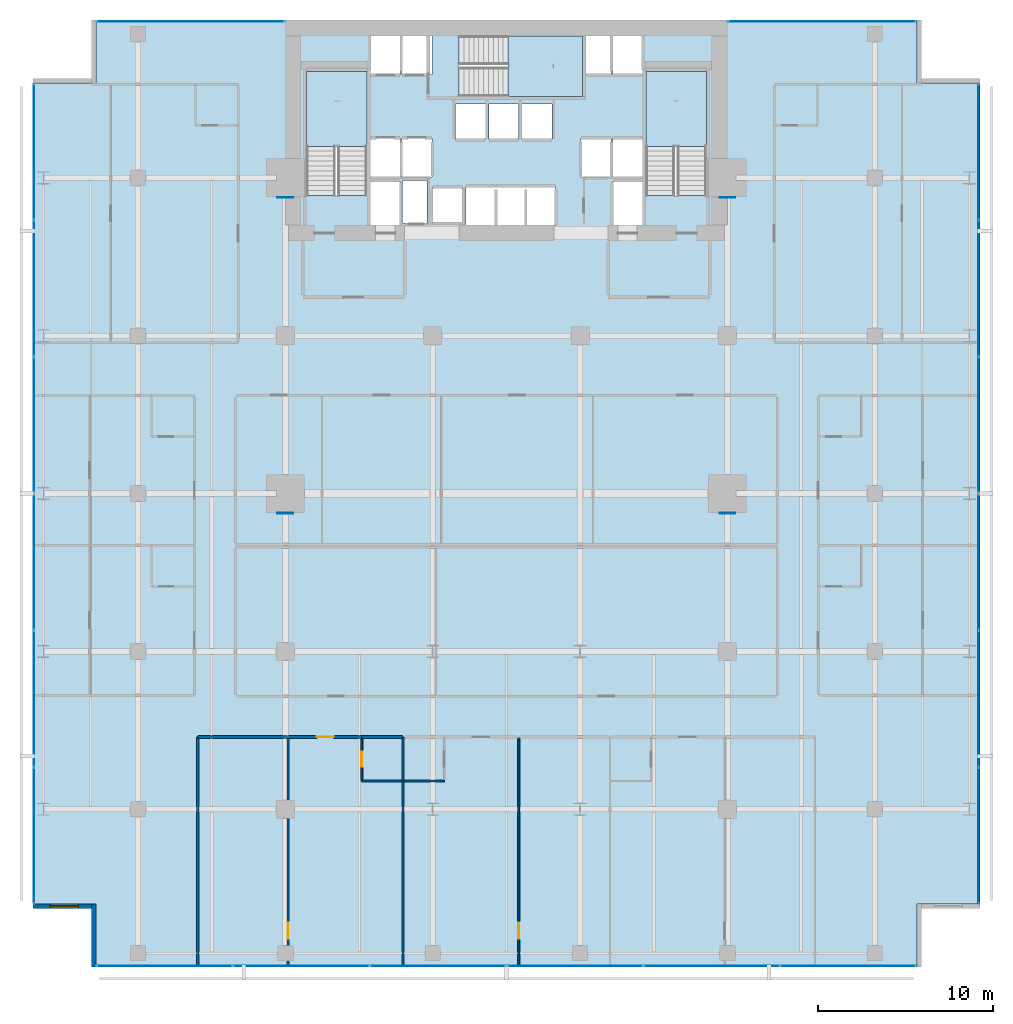
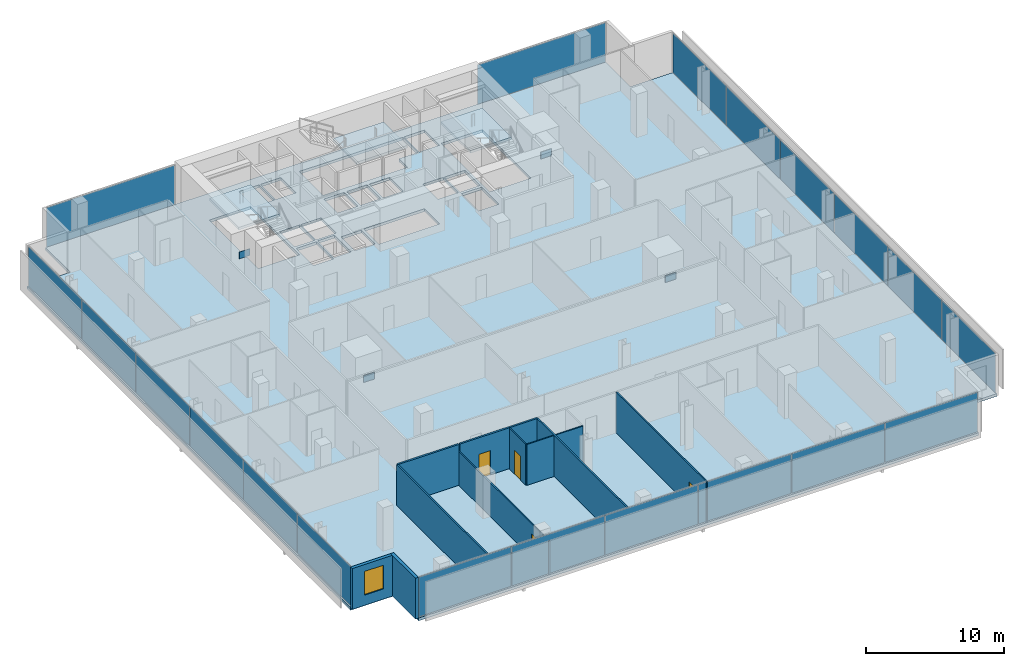
# One storey, part 32 of 39: 24 plates, 12 walls, 4 doors, 4 slabs, 1 window, 5 openings, 8 elements without a shape of their own.
"""IFC4 building model written with IfcOpenShell, lengths in metres."""

from ifc_helpers import new_model, si_unit, direction, frame, frame_2d, origin, origin_2d, place, context, subcontext, project, spatial, polyline, rectangle, outline, extrude, material, layer, layer_set, type_object, element, fill, aggregate, save


model = new_model("IFC4")

# Units and contexts
model_context = context("Model", 3, precision=1e-05, world=origin(), true_north=direction((0.0, 1.0)))
body_context = subcontext(model_context, "Body", "Model", "MODEL_VIEW")
ifc_project = project(units=[si_unit("LENGTHUNIT", "METRE"), si_unit("AREAUNIT", "SQUARE_METRE"), si_unit("VOLUMEUNIT", "CUBIC_METRE"), si_unit("PLANEANGLEUNIT", "RADIAN"), si_unit("MASSUNIT", "GRAM", prefix="KILO")], contexts=[model_context])

# Site, building, storey
site_placement = place(None, origin())
site = spatial("IfcSite", under=ifc_project, at=site_placement, CompositionType="ELEMENT")
building_placement = place(site_placement, origin())
building = spatial("IfcBuilding", under=site, at=building_placement, Name="Maruvema Waterfront Hotel and Observation Tower", CompositionType="ELEMENT")
storey_placement = place(building_placement, frame((0.0, 0.0, 69.300048828125)))
storey = spatial("IfcBuildingStorey", under=building, at=storey_placement, Name="L16", CompositionType="ELEMENT", Elevation=69.300048828125)

# Slab
ifc_material_1 = material(Name="Concrete C50/60", Category="concrete")
ifc_layer_1 = layer(ifc_material_1, 0.239990234375, Name="Reinforced Concrete Floor Slab 240 mm")
ifc_layer_set_1 = layer_set([ifc_layer_1], Name="Concrete C50/60")
slab_type_1 = type_object("IfcSlabType", Name="Reinforced Concrete Floor Slab 240 mm", PredefinedType="FLOOR", material=ifc_layer_set_1)
slab_1_placement = place(storey_placement, frame((0.0, 0.0, -0.239990234375)))
element("IfcSlab", 1, at=slab_1_placement, inside=storey, type_object=slab_type_1, Name="L16 Structural Floor Slab", PredefinedType="FLOOR", context=body_context, shape_type="SweptSolid", body=[
    extrude(outline(polyline([(14.39990234375, 0.0), (61.199951171875, 0.0), (61.199951171875, 3.60009765625), (64.800048828125, 3.60009765625), (64.800048828125, 50.39990234375), (61.199951171875, 50.39990234375), (61.199951171875, 54.0), (14.39990234375, 54.0), (14.39990234375, 50.39990234375), (10.800048828125, 50.39990234375), (10.800048828125, 3.60009765625), (14.39990234375, 3.60009765625), (14.39990234375, 0.0)]), holes=[polyline([(26.39990234375, 44.00048828125), (26.39990234375, 51.050048828125), (29.85009765625, 51.050048828125), (29.85009765625, 44.00048828125), (26.39990234375, 44.00048828125)]), polyline([(30.050048828125, 44.800048828125), (31.75, 44.800048828125), (31.75, 42.320068359375), (30.050048828125, 42.320068359375), (30.050048828125, 44.800048828125)]), polyline([(31.75, 47.25), (31.75, 45.050048828125), (30.050048828125, 45.050048828125), (30.050048828125, 47.25), (31.75, 47.25)]), polyline([(31.75, 53.10009765625), (31.75, 50.89990234375), (30.050048828125, 50.89990234375), (30.050048828125, 53.10009765625), (31.75, 53.10009765625)]), polyline([(33.280029296875, 44.860107421875), (33.280029296875, 42.43994140625), (31.8798828125, 42.43994140625), (31.8798828125, 44.860107421875), (33.280029296875, 44.860107421875)]), polyline([(31.85009765625, 47.25), (33.550048828125, 47.25), (33.550048828125, 45.050048828125), (31.85009765625, 45.050048828125), (31.85009765625, 47.25)]), polyline([(31.85009765625, 53.10009765625), (33.550048828125, 53.10009765625), (33.550048828125, 50.89990234375), (31.85009765625, 50.89990234375), (31.85009765625, 53.10009765625)]), polyline([(33.60009765625, 44.449951171875), (35.300048828125, 44.449951171875), (35.300048828125, 42.449951171875), (33.60009765625, 42.449951171875), (33.60009765625, 44.449951171875)]), polyline([(34.89990234375, 49.199951171875), (36.60009765625, 49.199951171875), (36.60009765625, 47.199951171875), (34.89990234375, 47.199951171875), (34.89990234375, 49.199951171875)]), polyline([(38.5, 49.199951171875), (38.5, 47.199951171875), (36.800048828125, 47.199951171875), (36.800048828125, 49.199951171875), (38.5, 49.199951171875)]), polyline([(35.5, 44.5), (40.60009765625, 44.5), (40.60009765625, 42.300048828125), (35.5, 42.300048828125), (35.5, 44.5)]), polyline([(43.75, 50.89990234375), (42.14990234375, 50.89990234375), (42.14990234375, 49.64990234375), (35.1005859375, 49.64990234375), (35.1005859375, 53.10009765625), (43.75, 53.10009765625), (43.75, 50.89990234375)]), polyline([(40.39990234375, 49.199951171875), (40.39990234375, 47.199951171875), (38.699951171875, 47.199951171875), (38.699951171875, 49.199951171875), (40.39990234375, 49.199951171875)]), polyline([(43.75, 47.25), (43.75, 45.050048828125), (42.050048828125, 45.050048828125), (42.050048828125, 47.25), (43.75, 47.25)]), polyline([(45.550048828125, 44.800048828125), (45.550048828125, 42.320068359375), (43.85009765625, 42.320068359375), (43.85009765625, 44.800048828125), (45.550048828125, 44.800048828125)]), polyline([(43.85009765625, 47.25), (45.550048828125, 47.25), (45.550048828125, 45.050048828125), (43.85009765625, 45.050048828125), (43.85009765625, 47.25)]), polyline([(45.550048828125, 53.10009765625), (45.550048828125, 50.89990234375), (43.85009765625, 50.89990234375), (43.85009765625, 53.10009765625), (45.550048828125, 53.10009765625)]), polyline([(45.75, 51.050048828125), (49.199951171875, 51.050048828125), (49.199951171875, 44.00048828125), (45.75, 44.00048828125), (45.75, 51.050048828125)])]), origin(), (0.0, 0.0, 1.0), 0.239990234375),
])

# Curtain wall, plates
ifc_material_2 = material(Name="Anodised bronze aluminium and solar-control low-E IGU", Category="aluminium")
ifc_layer_2 = layer(ifc_material_2, 0.159912109375, Name="Zone 1 Bronze Inner Thermal Curtain Wall System CW-02")
ifc_layer_set_2 = layer_set([ifc_layer_2], Name="Anodised bronze aluminium and solar-control low-E IGU")
curtain_wall_type = type_object("IfcCurtainWallType", Name="Zone 1 Bronze Inner Thermal Curtain Wall System CW-02", PredefinedType="USERDEFINED", material=ifc_layer_set_2)
curtain_wall_1_placement = place(storey_placement, origin())
curtain_wall_1 = element("IfcCurtainWall", 2, at=curtain_wall_1_placement, inside=storey, type_object=curtain_wall_type, Name="L16 Curtain Wall CW-L16-S", ObjectType="UNITISED CURTAIN WALL", PredefinedType="USERDEFINED")
ifc_material_3 = material(Name="Laminated low-E solar-control double glazing", Category="glass")
ifc_layer_3 = layer(ifc_material_3, 0.035888671875, Name="Solar Control Double-Glazed Curtain Panel 36 mm")
ifc_layer_set_3 = layer_set([ifc_layer_3], Name="Laminated low-E solar-control double glazing")
plate_type_1 = type_object("IfcPlateType", Name="Solar Control Double-Glazed Curtain Panel 36 mm", PredefinedType="CURTAIN_PANEL", material=ifc_layer_set_3)
plate_1_placement = place(storey_placement, frame((18.31494140625, 0.080078125, 0.06005859375), z_axis=(0.0, 0.0, 1.0), x_axis=(1.0, 0.0, 0.0)))
plate_1 = element("IfcPlate", 3, at=plate_1_placement, type_object=plate_type_1, Name="CW-02 panel 1.1", PredefinedType="CURTAIN_PANEL", context=body_context, shape_type="SweptSolid", body=[
    extrude(rectangle(XDim=7.7099609375, YDim=0.028076171875, at=origin_2d()), origin(), (0.0, 0.0, 1.0), 3.489990234375),
])
plate_2_placement = place(storey_placement, frame((26.10009765625, 0.080078125, 0.06005859375), z_axis=(0.0, 0.0, 1.0), x_axis=(1.0, 0.0, 0.0)))
plate_2 = element("IfcPlate", 4, at=plate_2_placement, type_object=plate_type_1, Name="CW-02 panel 2.1", PredefinedType="CURTAIN_PANEL", context=body_context, shape_type="SweptSolid", body=[
    extrude(rectangle(XDim=7.739990234375, YDim=0.028076171875, at=origin_2d()), origin(), (0.0, 0.0, 1.0), 3.489990234375),
])
plate_3_placement = place(storey_placement, frame((33.89990234375, 0.080078125, 0.06005859375), z_axis=(0.0, 0.0, 1.0), x_axis=(1.0, 0.0, 0.0)))
plate_3 = element("IfcPlate", 5, at=plate_3_placement, type_object=plate_type_1, Name="CW-02 panel 3.1", PredefinedType="CURTAIN_PANEL", context=body_context, shape_type="SweptSolid", body=[
    extrude(rectangle(XDim=7.739990234375, YDim=0.028076171875, at=origin_2d()), origin(), (0.0, 0.0, 1.0), 3.489990234375),
])
plate_4_placement = place(storey_placement, frame((41.699951171875, 0.080078125, 0.06005859375), z_axis=(0.0, 0.0, 1.0), x_axis=(1.0, 0.0, 0.0)))
plate_4 = element("IfcPlate", 6, at=plate_4_placement, type_object=plate_type_1, Name="CW-02 panel 4.1", PredefinedType="CURTAIN_PANEL", context=body_context, shape_type="SweptSolid", body=[
    extrude(rectangle(XDim=7.739990234375, YDim=0.028076171875, at=origin_2d()), origin(), (0.0, 0.0, 1.0), 3.489990234375),
])
plate_5_placement = place(storey_placement, frame((49.5, 0.080078125, 0.06005859375), z_axis=(0.0, 0.0, 1.0), x_axis=(1.0, 0.0, 0.0)))
plate_5 = element("IfcPlate", 7, at=plate_5_placement, type_object=plate_type_1, Name="CW-02 panel 5.1", PredefinedType="CURTAIN_PANEL", context=body_context, shape_type="SweptSolid", body=[
    extrude(rectangle(XDim=7.739990234375, YDim=0.028076171875, at=origin_2d()), origin(), (0.0, 0.0, 1.0), 3.489990234375),
])
plate_6_placement = place(storey_placement, frame((57.284912109375, 0.080078125, 0.06005859375), z_axis=(0.0, 0.0, 1.0), x_axis=(1.0, 0.0, 0.0)))
plate_6 = element("IfcPlate", 8, at=plate_6_placement, type_object=plate_type_1, Name="CW-02 panel 6.1", PredefinedType="CURTAIN_PANEL", context=body_context, shape_type="SweptSolid", body=[
    extrude(rectangle(XDim=7.7099609375, YDim=0.028076171875, at=origin_2d()), origin(), (0.0, 0.0, 1.0), 3.489990234375),
])
aggregate(curtain_wall_1, [plate_1, plate_2, plate_3, plate_4, plate_5, plate_6])

curtain_wall_2_placement = place(storey_placement, origin())
curtain_wall_2 = element("IfcCurtainWall", 9, at=curtain_wall_2_placement, inside=storey, type_object=curtain_wall_type, Name="L16 Curtain Wall CW-L16-E", ObjectType="UNITISED CURTAIN WALL", PredefinedType="USERDEFINED")
plate_7_placement = place(storey_placement, frame((64.719970703125, 7.514892578125, 0.06005859375), z_axis=(0.0, 0.0, 1.0), x_axis=(0.0, 1.0, 0.0)))
plate_7 = element("IfcPlate", 10, at=plate_7_placement, type_object=plate_type_1, Name="CW-02 panel 1.1", PredefinedType="CURTAIN_PANEL", context=body_context, shape_type="SweptSolid", body=[
    extrude(rectangle(XDim=7.7099609375, YDim=0.028076171875, at=origin_2d()), origin(), (0.0, 0.0, 1.0), 3.489990234375),
])
plate_8_placement = place(storey_placement, frame((64.719970703125, 15.300048828125, 0.06005859375), z_axis=(0.0, 0.0, 1.0), x_axis=(0.0, 1.0, 0.0)))
plate_8 = element("IfcPlate", 11, at=plate_8_placement, type_object=plate_type_1, Name="CW-02 panel 2.1", PredefinedType="CURTAIN_PANEL", context=body_context, shape_type="SweptSolid", body=[
    extrude(rectangle(XDim=7.739990234375, YDim=0.028076171875, at=origin_2d()), origin(), (0.0, 0.0, 1.0), 3.489990234375),
])
plate_9_placement = place(storey_placement, frame((64.719970703125, 23.10009765625, 0.06005859375), z_axis=(0.0, 0.0, 1.0), x_axis=(0.0, 1.0, 0.0)))
plate_9 = element("IfcPlate", 12, at=plate_9_placement, type_object=plate_type_1, Name="CW-02 panel 3.1", PredefinedType="CURTAIN_PANEL", context=body_context, shape_type="SweptSolid", body=[
    extrude(rectangle(XDim=7.739990234375, YDim=0.028076171875, at=origin_2d()), origin(), (0.0, 0.0, 1.0), 3.489990234375),
])
plate_10_placement = place(storey_placement, frame((64.719970703125, 30.89990234375, 0.06005859375), z_axis=(0.0, 0.0, 1.0), x_axis=(0.0, 1.0, 0.0)))
plate_10 = element("IfcPlate", 13, at=plate_10_placement, type_object=plate_type_1, Name="CW-02 panel 4.1", PredefinedType="CURTAIN_PANEL", context=body_context, shape_type="SweptSolid", body=[
    extrude(rectangle(XDim=7.739990234375, YDim=0.028076171875, at=origin_2d()), origin(), (0.0, 0.0, 1.0), 3.489990234375),
])
plate_11_placement = place(storey_placement, frame((64.719970703125, 38.699951171875, 0.06005859375), z_axis=(0.0, 0.0, 1.0), x_axis=(0.0, 1.0, 0.0)))
plate_11 = element("IfcPlate", 14, at=plate_11_placement, type_object=plate_type_1, Name="CW-02 panel 5.1", PredefinedType="CURTAIN_PANEL", context=body_context, shape_type="SweptSolid", body=[
    extrude(rectangle(XDim=7.739990234375, YDim=0.028076171875, at=origin_2d()), origin(), (0.0, 0.0, 1.0), 3.489990234375),
])
plate_12_placement = place(storey_placement, frame((64.719970703125, 46.485107421875, 0.06005859375), z_axis=(0.0, 0.0, 1.0), x_axis=(0.0, 1.0, 0.0)))
plate_12 = element("IfcPlate", 15, at=plate_12_placement, type_object=plate_type_1, Name="CW-02 panel 6.1", PredefinedType="CURTAIN_PANEL", context=body_context, shape_type="SweptSolid", body=[
    extrude(rectangle(XDim=7.7099609375, YDim=0.028076171875, at=origin_2d()), origin(), (0.0, 0.0, 1.0), 3.489990234375),
])
aggregate(curtain_wall_2, [plate_7, plate_8, plate_9, plate_10, plate_11, plate_12])

curtain_wall_3_placement = place(storey_placement, origin())
curtain_wall_3 = element("IfcCurtainWall", 16, at=curtain_wall_3_placement, inside=storey, type_object=curtain_wall_type, Name="L16 Curtain Wall CW-L16-W", ObjectType="UNITISED CURTAIN WALL", PredefinedType="USERDEFINED")
plate_13_placement = place(storey_placement, frame((10.8798828125, 46.485107421875, 0.06005859375), z_axis=(0.0, 0.0, 1.0), x_axis=(0.0, -1.0, 0.0)))
plate_13 = element("IfcPlate", 17, at=plate_13_placement, type_object=plate_type_1, Name="CW-02 panel 1.1", PredefinedType="CURTAIN_PANEL", context=body_context, shape_type="SweptSolid", body=[
    extrude(rectangle(XDim=7.7099609375, YDim=0.028076171875, at=origin_2d()), origin(), (0.0, 0.0, 1.0), 3.489990234375),
])
plate_14_placement = place(storey_placement, frame((10.8798828125, 38.699951171875, 0.06005859375), z_axis=(0.0, 0.0, 1.0), x_axis=(0.0, -1.0, 0.0)))
plate_14 = element("IfcPlate", 18, at=plate_14_placement, type_object=plate_type_1, Name="CW-02 panel 2.1", PredefinedType="CURTAIN_PANEL", context=body_context, shape_type="SweptSolid", body=[
    extrude(rectangle(XDim=7.739990234375, YDim=0.028076171875, at=origin_2d()), origin(), (0.0, 0.0, 1.0), 3.489990234375),
])
plate_15_placement = place(storey_placement, frame((10.8798828125, 30.89990234375, 0.06005859375), z_axis=(0.0, 0.0, 1.0), x_axis=(0.0, -1.0, 0.0)))
plate_15 = element("IfcPlate", 19, at=plate_15_placement, type_object=plate_type_1, Name="CW-02 panel 3.1", PredefinedType="CURTAIN_PANEL", context=body_context, shape_type="SweptSolid", body=[
    extrude(rectangle(XDim=7.739990234375, YDim=0.028076171875, at=origin_2d()), origin(), (0.0, 0.0, 1.0), 3.489990234375),
])
plate_16_placement = place(storey_placement, frame((10.8798828125, 23.10009765625, 0.06005859375), z_axis=(0.0, 0.0, 1.0), x_axis=(0.0, -1.0, 0.0)))
plate_16 = element("IfcPlate", 20, at=plate_16_placement, type_object=plate_type_1, Name="CW-02 panel 4.1", PredefinedType="CURTAIN_PANEL", context=body_context, shape_type="SweptSolid", body=[
    extrude(rectangle(XDim=7.739990234375, YDim=0.028076171875, at=origin_2d()), origin(), (0.0, 0.0, 1.0), 3.489990234375),
])
plate_17_placement = place(storey_placement, frame((10.8798828125, 15.300048828125, 0.06005859375), z_axis=(0.0, 0.0, 1.0), x_axis=(0.0, -1.0, 0.0)))
plate_17 = element("IfcPlate", 21, at=plate_17_placement, type_object=plate_type_1, Name="CW-02 panel 5.1", PredefinedType="CURTAIN_PANEL", context=body_context, shape_type="SweptSolid", body=[
    extrude(rectangle(XDim=7.739990234375, YDim=0.028076171875, at=origin_2d()), origin(), (0.0, 0.0, 1.0), 3.489990234375),
])
plate_18_placement = place(storey_placement, frame((10.8798828125, 7.514892578125, 0.06005859375), z_axis=(0.0, 0.0, 1.0), x_axis=(0.0, -1.0, 0.0)))
plate_18 = element("IfcPlate", 22, at=plate_18_placement, type_object=plate_type_1, Name="CW-02 panel 6.1", PredefinedType="CURTAIN_PANEL", context=body_context, shape_type="SweptSolid", body=[
    extrude(rectangle(XDim=7.7099609375, YDim=0.028076171875, at=origin_2d()), origin(), (0.0, 0.0, 1.0), 3.489990234375),
])
aggregate(curtain_wall_3, [plate_13, plate_14, plate_15, plate_16, plate_17, plate_18])

# Curtain wall, plate
curtain_wall_4_placement = place(storey_placement, origin())
curtain_wall_4 = element("IfcCurtainWall", 23, at=curtain_wall_4_placement, inside=storey, type_object=curtain_wall_type, Name="L16 Curtain Wall CW-L16-NW", ObjectType="UNITISED CURTAIN WALL", PredefinedType="USERDEFINED")
plate_19_placement = place(storey_placement, frame((19.800048828125, 53.919921875, 0.06005859375), z_axis=(0.0, 0.0, 1.0), x_axis=(-1.0, 0.0, 0.0)))
plate_19 = element("IfcPlate", 24, at=plate_19_placement, type_object=plate_type_1, Name="CW-02 panel 1.1", PredefinedType="CURTAIN_PANEL", context=body_context, shape_type="SweptSolid", body=[
    extrude(rectangle(XDim=10.679931640625, YDim=0.028076171875, at=origin_2d()), origin(), (0.0, 0.0, 1.0), 3.489990234375),
])
aggregate(curtain_wall_4, [plate_19])

curtain_wall_5_placement = place(storey_placement, origin())
curtain_wall_5 = element("IfcCurtainWall", 25, at=curtain_wall_5_placement, inside=storey, type_object=curtain_wall_type, Name="L16 Curtain Wall CW-L16-NE", ObjectType="UNITISED CURTAIN WALL", PredefinedType="USERDEFINED")
plate_20_placement = place(storey_placement, frame((55.800048828125, 53.919921875, 0.06005859375), z_axis=(0.0, 0.0, 1.0), x_axis=(-1.0, 0.0, 0.0)))
plate_20 = element("IfcPlate", 26, at=plate_20_placement, type_object=plate_type_1, Name="CW-02 panel 1.1", PredefinedType="CURTAIN_PANEL", context=body_context, shape_type="SweptSolid", body=[
    extrude(rectangle(XDim=10.679931640625, YDim=0.028076171875, at=origin_2d()), origin(), (0.0, 0.0, 1.0), 3.489990234375),
])
aggregate(curtain_wall_5, [plate_20])

# Stair, slab
ifc_material_4 = material(Name="Concrete C50/60", Category="concrete")
stair_type = type_object("IfcStairType", Name="Dogleg Exit Stair 1650 mm (22R x 175.0 mm)", PredefinedType="HALF_TURN_STAIR", material=ifc_material_4)
stair_1_placement = place(storey_placement, origin())
stair_1 = element("IfcStair", 27, at=stair_1_placement, inside=storey, type_object=stair_type, Name="L16 ST-01", PredefinedType="HALF_TURN_STAIR")
ifc_material_5 = material(Name="Concrete C50/60", Category="concrete")
ifc_layer_4 = layer(ifc_material_5, 0.219970703125, Name="Stair Concrete Landing Slab 220 mm")
ifc_layer_set_4 = layer_set([ifc_layer_4], Name="Concrete C50/60")
slab_type_2 = type_object("IfcSlabType", Name="Stair Concrete Landing Slab 220 mm", PredefinedType="LANDING", material=ifc_layer_set_4)
slab_2_placement = place(storey_placement, frame((0.0, 0.0, 1.704833984375)))
slab_2 = element("IfcSlab", 28, at=slab_2_placement, type_object=slab_type_2, Name="ST-01 landing 1", PredefinedType="LANDING", context=body_context, shape_type="SweptSolid", body=[
    extrude(outline(polyline([(29.85009765625, 46.800048828125), (29.85009765625, 51.050048828125), (26.39990234375, 51.050048828125), (26.39990234375, 46.800048828125), (29.85009765625, 46.800048828125)])), origin(), (0.0, 0.0, 1.0), 0.22021484375),
])
aggregate(stair_1, [slab_2])

stair_2_placement = place(storey_placement, origin())
stair_2 = element("IfcStair", 29, at=stair_2_placement, inside=storey, type_object=stair_type, Name="L16 ST-02", PredefinedType="HALF_TURN_STAIR")
slab_3_placement = place(storey_placement, frame((0.0, 0.0, 1.704833984375)))
slab_3 = element("IfcSlab", 30, at=slab_3_placement, type_object=slab_type_2, Name="ST-02 landing 1", PredefinedType="LANDING", context=body_context, shape_type="SweptSolid", body=[
    extrude(outline(polyline([(37.89990234375, 49.64990234375), (42.14990234375, 49.64990234375), (42.14990234375, 53.10009765625), (37.89990234375, 53.10009765625), (37.89990234375, 49.64990234375)])), origin(), (0.0, 0.0, 1.0), 0.22021484375),
])
aggregate(stair_2, [slab_3])

stair_3_placement = place(storey_placement, origin())
stair_3 = element("IfcStair", 31, at=stair_3_placement, inside=storey, type_object=stair_type, Name="L16 ST-03", PredefinedType="HALF_TURN_STAIR")
slab_4_placement = place(storey_placement, frame((0.0, 0.0, 1.704833984375)))
slab_4 = element("IfcSlab", 32, at=slab_4_placement, type_object=slab_type_2, Name="ST-03 landing 1", PredefinedType="LANDING", context=body_context, shape_type="SweptSolid", body=[
    extrude(outline(polyline([(49.199951171875, 46.800048828125), (49.199951171875, 51.050048828125), (45.75, 51.050048828125), (45.75, 46.800048828125), (49.199951171875, 46.800048828125)])), origin(), (0.0, 0.0, 1.0), 0.22021484375),
])
aggregate(stair_3, [slab_4])

# Plates
ifc_material_6 = material(Name="Steel ABNT NBR 7007 AR 415 (ASTM A572 Grade 50)", Category="steel")
ifc_layer_5 = layer(ifc_material_6, 0.0400390625, Name="Structural Truss Node Gusset Plate 40 mm")
ifc_layer_set_5 = layer_set([ifc_layer_5], Name="Steel ABNT NBR 7007 AR 415 (ASTM A572 Grade 50)")
plate_type_2 = type_object("IfcPlateType", Name="Structural Truss Node Gusset Plate 40 mm", PredefinedType="USERDEFINED", material=ifc_layer_set_5)
for number, where, z_axis, x_axis, name in (
    (33, (25.199951171875, 25.8798828125, 1.5), (0.0, 0.0, 1.0), (1.0, 0.0, 0.0), "L16 MC-01 Moment Frame Continuity Gusset Plate"),
    (34, (50.39990234375, 25.8798828125, 1.5), (0.0, 0.0, 1.0), (1.0, 0.0, 0.0), "L16 MC-02 Moment Frame Continuity Gusset Plate"),
    (35, (25.199951171875, 43.8798828125, 1.5), (0.0, 0.0, 1.0), (1.0, 0.0, 0.0), "L16 MC-03 Moment Frame Continuity Gusset Plate"),
    (36, (50.39990234375, 43.8798828125, 1.5), (0.0, 0.0, 1.0), (1.0, 0.0, 0.0), "L16 MC-04 Moment Frame Continuity Gusset Plate"),
):
    element("IfcPlate", number, at=place(storey_placement, frame(where, z_axis=z_axis, x_axis=x_axis)), inside=storey, type_object=plate_type_2, Name=name, ObjectType="GUSSET_PLATE", PredefinedType="USERDEFINED", context=body_context, shape_type="SweptSolid", body=[
        extrude(rectangle(XDim=0.89990234375, YDim=0.0400390625, at=origin_2d()), origin(), (0.0, 0.0, 1.0), 0.60009765625),
    ])

# Walls
ifc_material_7 = material(Name="Twin-stud acoustic gypsum drywall", Category="gypsum")
ifc_layer_6 = layer(ifc_material_7, 0.14990234375, Name="Acoustic Corridor and Suite Demising Wall 150 mm")
ifc_layer_set_6 = layer_set([ifc_layer_6], Name="Twin-stud acoustic gypsum drywall")
wall_type_1 = type_object("IfcWallType", Name="Acoustic Corridor and Suite Demising Wall 150 mm", PredefinedType="PARTITIONING", material=ifc_layer_set_6)
wall_1_placement = place(storey_placement, frame((29.550048828125, 13.1201171875, 0.0), z_axis=(0.0, 0.0, 1.0), x_axis=(1.0, 0.0, 0.0)))
element("IfcWall", 37, at=wall_1_placement, inside=storey, type_object=wall_type_1, Name="L16 Bath L16-S1 Back Wall 030", PredefinedType="PARTITIONING", context=body_context, shape_type="SweptSolid", body=[
    extrude(rectangle(XDim=2.329833984375, YDim=0.14990234375, at=frame_2d((1.1650390625, 0.0))), origin(), (0.0, 0.0, 1.0), 3.60986328125),
])
wall_2_placement = place(storey_placement, frame((20.219970703125, 13.1201171875, 0.0), z_axis=(0.0, 0.0, 1.0), x_axis=(1.0, 0.0, 0.0)))
element("IfcWall", 38, at=wall_2_placement, inside=storey, type_object=wall_type_1, Name="L16 Bedroom L16-S1 Back Wall 033", PredefinedType="PARTITIONING", context=body_context, shape_type="SweptSolid", body=[
    extrude(rectangle(XDim=5.088134765625, YDim=0.14990234375, at=frame_2d((2.5439453125, 0.0))), origin(), (0.0, 0.0, 1.0), 3.60986328125),
])

# Wall, opening, door
wall_3_placement = place(storey_placement, frame((25.387939453125, 13.1201171875, 0.0), z_axis=(0.0, 0.0, 1.0), x_axis=(1.0, 0.0, 0.0)))
wall_3 = element("IfcWall", 39, at=wall_3_placement, inside=storey, type_object=wall_type_1, Name="L16 Unit L16-S1 Corridor Wall 034", PredefinedType="PARTITIONING", context=body_context, shape_type="SweptSolid", body=[
    extrude(rectangle(XDim=4.162109375, YDim=0.14990234375, at=frame_2d((2.0810546875, 0.0))), origin(), (0.0, 0.0, 1.0), 3.60986328125),
])
opening_1_placement = place(wall_3_placement, frame((1.60595703125, 0.0, 0.0)))
opening_1 = element("IfcOpeningElement", 40, at=opening_1_placement, cuts=wall_3, Name="Opening DR-095", PredefinedType="OPENING", context=body_context, shape_type="SweptSolid", body=[
    extrude(rectangle(XDim=0.949951171875, YDim=2.14990234375, at=frame_2d((0.47509765625, 1.074951171875))), frame((0.0, 0.0849609375, 0.0), z_axis=(0.0, -1.0, 0.0), x_axis=(1.0, 0.0, 0.0)), (0.0, 0.0, 1.0), 0.169921875),
])
ifc_material_8 = material(Name="Acoustic solid-core hardwood timber leaf", Category="wood")
door_type_1 = type_object("IfcDoorType", Name="Guestroom Entrance Fire Door 950x2150 mm", OperationType="NOTDEFINED", PredefinedType="DOOR", material=ifc_material_8)
door_1_placement = place(opening_1_placement, frame((0.949951171875, 0.0, 0.0), z_axis=(0.0, 0.0, 1.0), x_axis=(-1.0, 0.0, 0.0)))
door_1 = element("IfcDoor", 41, at=door_1_placement, inside=storey, type_object=door_type_1, Name="L16 Unit L16-S1 Entrance Door", OperationType="SINGLE_SWING_RIGHT", OverallHeight=2.14990234375, OverallWidth=0.949951171875, PredefinedType="DOOR", context=body_context, shape_type="SweptSolid", body=[
    extrude(rectangle(XDim=0.949951171875, YDim=2.14990234375, at=frame_2d((0.47509765625, 1.074951171875))), frame((0.0, 0.02490234375, 0.0), z_axis=(0.0, -1.0, 0.0), x_axis=(1.0, 0.0, 0.0)), (0.0, 0.0, 1.0), 0.050048828125),
])
fill(opening_1, door_1)

# Wall
ifc_material_9 = material(Name="Moisture-resistant cement-board drywall", Category="gypsum")
ifc_layer_7 = layer(ifc_material_9, 0.10009765625, Name="En-Suite Moisture-Resistant Partition 100 mm")
ifc_layer_set_7 = layer_set([ifc_layer_7], Name="Moisture-resistant cement-board drywall")
wall_type_2 = type_object("IfcWallType", Name="En-Suite Moisture-Resistant Partition 100 mm", PredefinedType="PARTITIONING", material=ifc_layer_set_7)
wall_4_placement = place(storey_placement, frame((29.550048828125, 10.6201171875, 0.0), z_axis=(0.0, 0.0, 1.0), x_axis=(1.0, 0.0, 0.0)))
element("IfcWall", 42, at=wall_4_placement, inside=storey, type_object=wall_type_2, Name="L16 En-Suite L16-S1 South 031", PredefinedType="PARTITIONING", context=body_context, shape_type="SweptSolid", body=[
    extrude(rectangle(XDim=2.31005859375, YDim=0.10009765625, at=frame_2d((1.155029296875, 0.0))), origin(), (0.0, 0.0, 1.0), 3.60986328125),
])

# Wall, opening, door
wall_5_placement = place(storey_placement, frame((29.550048828125, 10.679931640625, 0.0), z_axis=(0.0, 0.0, 1.0), x_axis=(0.0, 1.0, 0.0)))
wall_5 = element("IfcWall", 43, at=wall_5_placement, inside=storey, type_object=wall_type_2, Name="L16 En-Suite L16-S1 West 032", PredefinedType="PARTITIONING", context=body_context, shape_type="SweptSolid", body=[
    extrude(rectangle(XDim=2.340087890625, YDim=0.10009765625, at=frame_2d((1.169921875, 0.0))), origin(), (0.0, 0.0, 1.0), 3.60986328125),
])
opening_2_placement = place(wall_5_placement, frame((0.7451171875, 0.0, 0.0)))
opening_2 = element("IfcOpeningElement", 44, at=opening_2_placement, cuts=wall_5, Name="Opening DR-085", PredefinedType="OPENING", context=body_context, shape_type="SweptSolid", body=[
    extrude(rectangle(XDim=0.85009765625, YDim=2.10009765625, at=frame_2d((0.425048828125, 1.050048828125))), frame((0.0, 0.06005859375, 0.0), z_axis=(0.0, -1.0, 0.0), x_axis=(1.0, 0.0, 0.0)), (0.0, 0.0, 1.0), 0.1201171875),
])
ifc_material_10 = material(Name="Moisture-resistant solid timber leaf", Category="wood")
door_type_2 = type_object("IfcDoorType", Name="En-Suite Bathroom Door 850x2100 mm", OperationType="NOTDEFINED", PredefinedType="DOOR", material=ifc_material_10)
door_2_placement = place(opening_2_placement, origin())
door_2 = element("IfcDoor", 45, at=door_2_placement, inside=storey, type_object=door_type_2, Name="L16 En-Suite L16-S1 Door", OperationType="SINGLE_SWING_LEFT", OverallHeight=2.10009765625, OverallWidth=0.85009765625, PredefinedType="DOOR", context=body_context, shape_type="SweptSolid", body=[
    extrude(rectangle(XDim=0.85009765625, YDim=2.10009765625, at=frame_2d((0.425048828125, 1.050048828125))), frame((0.0, 0.02490234375, 0.0), z_axis=(0.0, -1.0, 0.0), x_axis=(1.0, 0.0, 0.0)), (0.0, 0.0, 1.0), 0.050048828125),
])
fill(opening_2, door_2)

wall_6_placement = place(storey_placement, frame((25.347900390625, 0.030029296875, 0.0), z_axis=(0.0, 0.0, 1.0), x_axis=(0.0, 1.0, 0.0)))
wall_6 = element("IfcWall", 46, at=wall_6_placement, inside=storey, type_object=wall_type_2, Name="L16 Suite L16-S1 Split 035", PredefinedType="PARTITIONING", context=body_context, shape_type="SweptSolid", body=[
    extrude(rectangle(XDim=13.030029296875, YDim=0.10009765625, at=frame_2d((6.51513671875, 0.0))), origin(), (0.0, 0.0, 1.0), 2.988037109375),
])
opening_3_placement = place(wall_6_placement, frame((1.60009765625, 0.0, 0.0)))
opening_3 = element("IfcOpeningElement", 47, at=opening_3_placement, cuts=wall_6, Name="Opening DR-090", PredefinedType="OPENING", context=body_context, shape_type="SweptSolid", body=[
    extrude(rectangle(XDim=0.89990234375, YDim=2.10009765625, at=frame_2d((0.449951171875, 1.050048828125))), frame((0.0, 0.06005859375, 0.0), z_axis=(0.0, -1.0, 0.0), x_axis=(1.0, 0.0, 0.0)), (0.0, 0.0, 1.0), 0.1201171875),
])
ifc_material_11 = material(Name="Solid-core lacquered timber leaf", Category="wood")
door_type_3 = type_object("IfcDoorType", Name="Accessible Toilet and Room Door 900x2100 mm", OperationType="NOTDEFINED", PredefinedType="DOOR", material=ifc_material_11)
door_3_placement = place(opening_3_placement, frame((0.89990234375, 0.0, 0.0), z_axis=(0.0, 0.0, 1.0), x_axis=(-1.0, 0.0, 0.0)))
door_3 = element("IfcDoor", 48, at=door_3_placement, inside=storey, type_object=door_type_3, Name="L16 Suite L16-S1 Bedroom Door", OperationType="SINGLE_SWING_LEFT", OverallHeight=2.10009765625, OverallWidth=0.89990234375, PredefinedType="DOOR", context=body_context, shape_type="SweptSolid", body=[
    extrude(rectangle(XDim=0.89990234375, YDim=2.10009765625, at=frame_2d((0.449951171875, 1.050048828125))), frame((0.0, 0.02490234375, 0.0), z_axis=(0.0, -1.0, 0.0), x_axis=(1.0, 0.0, 0.0)), (0.0, 0.0, 1.0), 0.050048828125),
])
fill(opening_3, door_3)

# Wall
wall_7_placement = place(storey_placement, frame((31.97998046875, 10.6201171875, 0.0), z_axis=(0.0, 0.0, 1.0), x_axis=(1.0, 0.0, 0.0)))
element("IfcWall", 49, at=wall_7_placement, inside=storey, type_object=wall_type_2, Name="L16 En-Suite L16-S2 South 038", PredefinedType="PARTITIONING", context=body_context, shape_type="SweptSolid", body=[
    extrude(rectangle(XDim=2.27001953125, YDim=0.10009765625, at=frame_2d((1.135009765625, 0.0))), origin(), (0.0, 0.0, 1.0), 3.60986328125),
])

# Wall, opening, door
wall_8_placement = place(storey_placement, frame((38.508056640625, 0.030029296875, 0.0), z_axis=(0.0, 0.0, 1.0), x_axis=(0.0, 1.0, 0.0)))
wall_8 = element("IfcWall", 50, at=wall_8_placement, inside=storey, type_object=wall_type_2, Name="L16 Suite L16-S2 Split 042", PredefinedType="PARTITIONING", context=body_context, shape_type="SweptSolid", body=[
    extrude(rectangle(XDim=13.030029296875, YDim=0.10009765625, at=frame_2d((6.51513671875, 0.0))), origin(), (0.0, 0.0, 1.0), 3.60986328125),
])
opening_4_placement = place(wall_8_placement, frame((1.60009765625, 0.0, 0.0)))
opening_4 = element("IfcOpeningElement", 51, at=opening_4_placement, cuts=wall_8, Name="Opening DR-090", PredefinedType="OPENING", context=body_context, shape_type="SweptSolid", body=[
    extrude(rectangle(XDim=0.89990234375, YDim=2.10009765625, at=frame_2d((0.449951171875, 1.050048828125))), frame((0.0, 0.06005859375, 0.0), z_axis=(0.0, -1.0, 0.0), x_axis=(1.0, 0.0, 0.0)), (0.0, 0.0, 1.0), 0.1201171875),
])
door_4_placement = place(opening_4_placement, origin())
door_4 = element("IfcDoor", 52, at=door_4_placement, inside=storey, type_object=door_type_3, Name="L16 Suite L16-S2 Bedroom Door", OperationType="SINGLE_SWING_RIGHT", OverallHeight=2.10009765625, OverallWidth=0.89990234375, PredefinedType="DOOR", context=body_context, shape_type="SweptSolid", body=[
    extrude(rectangle(XDim=0.89990234375, YDim=2.10009765625, at=frame_2d((0.449951171875, 1.050048828125))), frame((0.0, 0.02490234375, 0.0), z_axis=(0.0, -1.0, 0.0), x_axis=(1.0, 0.0, 0.0)), (0.0, 0.0, 1.0), 0.050048828125),
])
fill(opening_4, door_4)

# Wall
ifc_material_12 = material(Name="Precast concrete C45/55 with honed Pernambuco granite facing", Category="masonry")
ifc_layer_8 = layer(ifc_material_12, 0.260009765625, Name="Exterior Granite Clad Spandrel and Pier Wall 260 mm")
ifc_layer_set_8 = layer_set([ifc_layer_8], Name="Precast concrete C45/55 with honed Pernambuco granite facing")
wall_type_3 = type_object("IfcWallType", Name="Exterior Granite Clad Spandrel and Pier Wall 260 mm", PredefinedType="SOLIDWALL", material=ifc_layer_set_8)
wall_9_placement = place(storey_placement, frame((14.27001953125, 0.0, 0.0), z_axis=(0.0, 0.0, 1.0), x_axis=(0.0, 1.0, 0.0)))
element("IfcWall", 53, at=wall_9_placement, inside=storey, type_object=wall_type_3, Name="L16 Corner Notch Granite Pier Wall SW1", PredefinedType="SOLIDWALL", context=body_context, shape_type="SweptSolid", body=[
    extrude(rectangle(XDim=3.60009765625, YDim=0.260009765625, at=frame_2d((1.800048828125, 0.0))), origin(), (0.0, 0.0, 1.0), 3.60986328125),
])

# Wall, opening, window
wall_10_placement = place(storey_placement, frame((14.39990234375, 3.469970703125, 0.0), z_axis=(0.0, 0.0, 1.0), x_axis=(-1.0, 0.0, 0.0)))
wall_10 = element("IfcWall", 54, at=wall_10_placement, inside=storey, type_object=wall_type_3, Name="L16 Corner Notch Granite Pier Wall SW2", PredefinedType="SOLIDWALL", context=body_context, shape_type="SweptSolid", body=[
    extrude(rectangle(XDim=3.599853515625, YDim=0.260009765625, at=frame_2d((1.7998046875, 0.0))), origin(), (0.0, 0.0, 1.0), 3.60986328125),
])
opening_5_placement = place(wall_10_placement, frame((1.0, 0.0, 0.89990234375)))
opening_5 = element("IfcOpeningElement", 55, at=opening_5_placement, cuts=wall_10, Name="Opening WN-01", PredefinedType="OPENING", context=body_context, shape_type="SweptSolid", body=[
    extrude(rectangle(XDim=1.60009765625, YDim=2.10009765625, at=frame_2d((0.800048828125, 1.050048828125))), frame((0.0, 0.14013671875, 0.0), z_axis=(0.0, -1.0, 0.0), x_axis=(1.0, 0.0, 0.0)), (0.0, 0.0, 1.0), 0.280029296875),
])
ifc_material_13 = material(Name="Anodised bronze aluminium frame with laminated low-E glass", Category="aluminium")
window_type = type_object("IfcWindowType", Name="Corner Notch Feature Window 1600x2100 mm", PartitioningType="SINGLE_PANEL", PredefinedType="WINDOW", material=ifc_material_13)
window_placement = place(opening_5_placement, origin())
window = element("IfcWindow", 56, at=window_placement, inside=storey, type_object=window_type, Name="L16 Corner Notch Punched Window SW2", OverallHeight=2.10009765625, OverallWidth=1.60009765625, PartitioningType="SINGLE_PANEL", PredefinedType="WINDOW", context=body_context, shape_type="SweptSolid", body=[
    extrude(rectangle(XDim=1.60009765625, YDim=2.10009765625, at=frame_2d((0.800048828125, 1.050048828125))), frame((0.0, 0.030029296875, 0.0), z_axis=(0.0, -1.0, 0.0), x_axis=(1.0, 0.0, 0.0)), (0.0, 0.0, 1.0), 0.06005859375),
])
fill(opening_5, window)

# Walls
ifc_material_14 = material(Name="Acoustic gypsum plasterboard drywall", Category="gypsum")
ifc_layer_9 = layer(ifc_material_14, 0.125, Name="Guestroom Acoustic Demising Wall 125 mm")
ifc_layer_set_9 = layer_set([ifc_layer_9], Name="Acoustic gypsum plasterboard drywall")
wall_type_4 = type_object("IfcWallType", Name="Guestroom Acoustic Demising Wall 125 mm", PredefinedType="PARTITIONING", material=ifc_layer_set_9)
for number, where, z_axis, x_axis, name in (
    (57, (20.199951171875, 0.10009765625, 0.0), (0.0, 0.0, 1.0), (0.0, 1.0, 0.0), "L16 S West End 028"),
    (58, (31.89990234375, 0.10009765625, 0.0), (0.0, 0.0, 1.0), (0.0, 1.0, 0.0), "L16 S Demising 2 036"),
):
    element("IfcWall", number, at=place(storey_placement, frame(where, z_axis=z_axis, x_axis=x_axis)), inside=storey, type_object=wall_type_4, Name=name, PredefinedType="PARTITIONING", context=body_context, shape_type="SweptSolid", body=[
        extrude(rectangle(XDim=13.02001953125, YDim=0.125, at=frame_2d((6.510009765625, 0.0))), origin(), (0.0, 0.0, 1.0), 3.60986328125),
    ])

save(model, "model.ifc")
